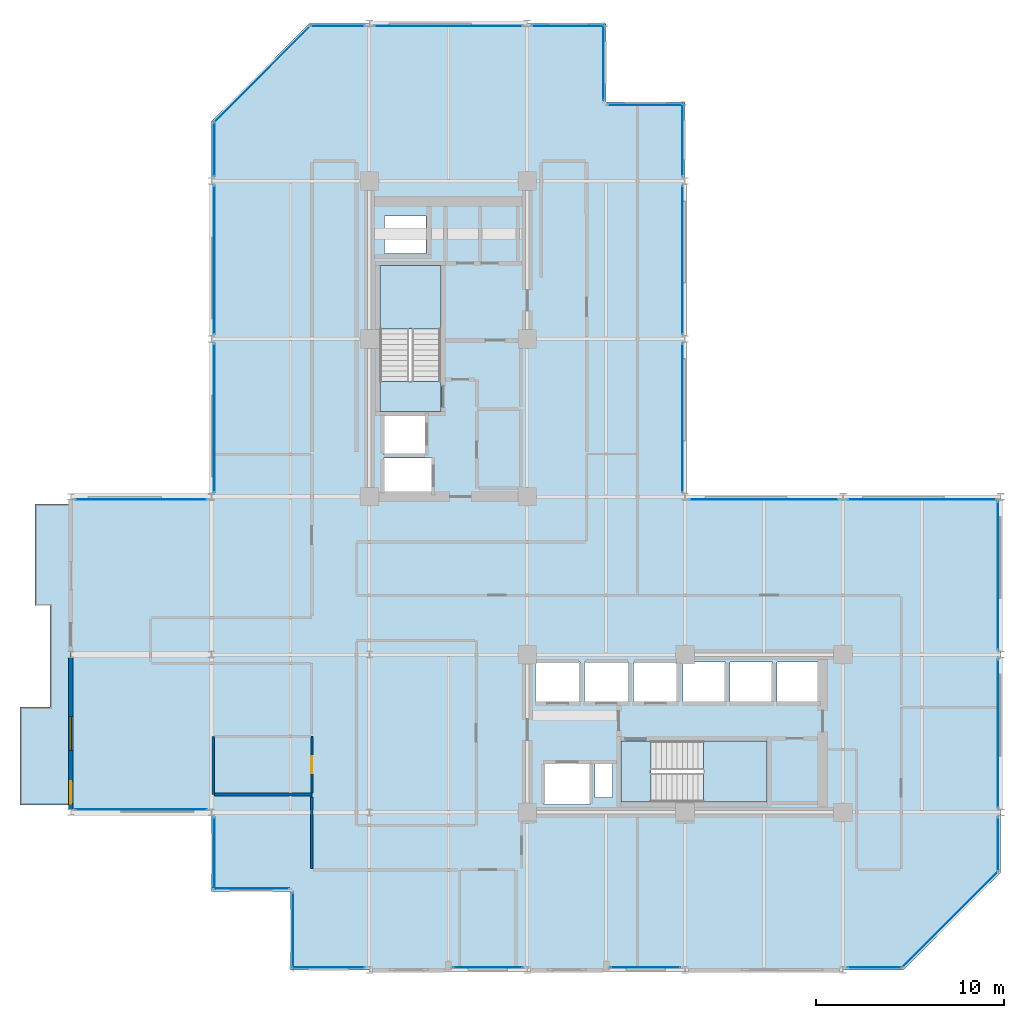
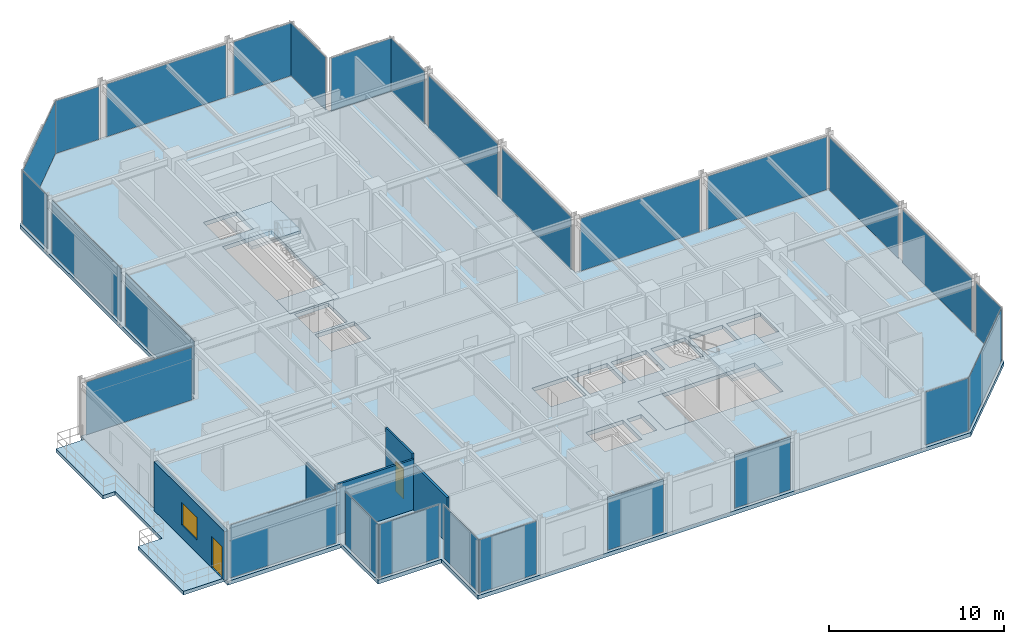
# One storey, part 23 of 29: 27 plates, 6 slabs, 5 walls, 2 doors, 1 window, 3 openings, 29 elements without a shape of their own.
"""IFC4 building model written with IfcOpenShell, lengths in metres."""

from ifc_helpers import new_model, si_unit, direction, frame, frame_2d, origin, origin_2d, place, context, subcontext, project, spatial, polyline, rectangle, outline, extrude, material, layer, layer_set, type_object, element, fill, aggregate, save


model = new_model("IFC4")

# Units and contexts
model_context = context("Model", 3, precision=1e-05, world=origin(), true_north=direction((0.0, 1.0)))
body_context = subcontext(model_context, "Body", "Model", "MODEL_VIEW")
ifc_project = project(units=[si_unit("LENGTHUNIT", "METRE"), si_unit("AREAUNIT", "SQUARE_METRE"), si_unit("VOLUMEUNIT", "CUBIC_METRE"), si_unit("PLANEANGLEUNIT", "RADIAN"), si_unit("MASSUNIT", "GRAM", prefix="KILO")], contexts=[model_context])

# Site, building, storey
site_placement = place(None, origin())
site = spatial("IfcSite", under=ifc_project, at=site_placement, CompositionType="ELEMENT")
building_placement = place(site_placement, origin())
building = spatial("IfcBuilding", under=site, at=building_placement, Name="Nerrivon Quay Data Exchange", CompositionType="ELEMENT")
storey_placement = place(building_placement, frame((0.0, 0.0, 208.300048828125)))
storey = spatial("IfcBuildingStorey", under=building, at=storey_placement, Name="L49", CompositionType="ELEMENT", Elevation=208.300048828125)

# Curtain wall, plate
ifc_material_1 = material(Name="Anodised aluminium 6063-T6", Category="aluminium")
ifc_layer_1 = layer(ifc_material_1, 0.199951171875)
ifc_layer_set_1 = layer_set([ifc_layer_1], Name="Anodised aluminium 6063-T6")
curtain_wall_type_1 = type_object("IfcCurtainWallType", Name="CW-SYS-04", PredefinedType="NOTDEFINED", material=ifc_layer_set_1)
curtain_wall_1_placement = place(storey_placement, origin())
curtain_wall_1 = element("IfcCurtainWall", 1, at=curtain_wall_1_placement, inside=storey, type_object=curtain_wall_type_1, Name="L49 Unitised Curtain Wall 3", PredefinedType="NOTDEFINED")
ifc_material_2 = material(Name="Double-glazed low-E solar control glass", Category="glass")
ifc_layer_2 = layer(ifc_material_2, 0.028076171875)
ifc_layer_set_2 = layer_set([ifc_layer_2], Name="Double-glazed low-E solar control glass")
plate_type = type_object("IfcPlateType", Name="CWP-GLZ-28", PredefinedType="CURTAIN_PANEL", material=ifc_layer_set_2)
plate_1_placement = place(storey_placement, frame((-3.759765625, 25.06005859375, 0.06494140625), z_axis=(0.0, 0.0, 1.0), x_axis=(1.0, 0.0, 0.0)))
plate_1 = element("IfcPlate", 2, at=plate_1_placement, type_object=plate_type, Name="CW04 panel 1.1", PredefinedType="CURTAIN_PANEL", context=body_context, shape_type="SweptSolid", body=[
    extrude(rectangle(XDim=7.01953125, YDim=0.028076171875, at=origin_2d()), origin(), (0.0, 0.0, 1.0), 3.695068359375),
])
aggregate(curtain_wall_1, [plate_1])

ifc_layer_3 = layer(ifc_material_1, 0.195068359375)
ifc_layer_set_3 = layer_set([ifc_layer_3], Name="Anodised aluminium 6063-T6")
curtain_wall_type_2 = type_object("IfcCurtainWallType", Name="CW-SYS-06", PredefinedType="NOTDEFINED", material=ifc_layer_set_3)
curtain_wall_2_placement = place(storey_placement, origin())
curtain_wall_2 = element("IfcCurtainWall", 3, at=curtain_wall_2_placement, inside=storey, type_object=curtain_wall_type_2, Name="L49 Unitised Curtain Wall 4", PredefinedType="NOTDEFINED")
plate_2_placement = place(storey_placement, frame((0.139892578125, 29.39990234375, 0.06494140625), z_axis=(0.0, 0.0, 1.0), x_axis=(0.0, 1.0, 0.0)))
plate_2 = element("IfcPlate", 4, at=plate_2_placement, type_object=plate_type, Name="CW06 panel 1.1", PredefinedType="CURTAIN_PANEL", context=body_context, shape_type="SweptSolid", body=[
    extrude(rectangle(XDim=7.89990234375, YDim=0.028076171875, at=origin_2d()), origin(), (0.0, 0.0, 1.0), 3.695068359375),
])
aggregate(curtain_wall_2, [plate_2])

curtain_wall_3_placement = place(storey_placement, origin())
curtain_wall_3 = element("IfcCurtainWall", 5, at=curtain_wall_3_placement, inside=storey, type_object=curtain_wall_type_2, Name="L49 Unitised Curtain Wall 5", PredefinedType="NOTDEFINED")
plate_3_placement = place(storey_placement, frame((0.139892578125, 37.800048828125, 0.06494140625), z_axis=(0.0, 0.0, 1.0), x_axis=(0.0, 1.0, 0.0)))
plate_3 = element("IfcPlate", 6, at=plate_3_placement, type_object=plate_type, Name="CW06 panel 1.1", PredefinedType="CURTAIN_PANEL", context=body_context, shape_type="SweptSolid", body=[
    extrude(rectangle(XDim=7.89990234375, YDim=0.028076171875, at=origin_2d()), origin(), (0.0, 0.0, 1.0), 3.695068359375),
])
aggregate(curtain_wall_3, [plate_3])

curtain_wall_4_placement = place(storey_placement, origin())
curtain_wall_4 = element("IfcCurtainWall", 7, at=curtain_wall_4_placement, inside=storey, type_object=curtain_wall_type_2, Name="L49 Unitised Curtain Wall 6", PredefinedType="NOTDEFINED")
plate_4_placement = place(storey_placement, frame((0.139892578125, 43.6875, 0.06494140625), z_axis=(0.0, 0.0, 1.0), x_axis=(0.0, 1.0, 0.0)))
plate_4 = element("IfcPlate", 8, at=plate_4_placement, type_object=plate_type, Name="CW06 panel 1.1", PredefinedType="CURTAIN_PANEL", context=body_context, shape_type="SweptSolid", body=[
    extrude(rectangle(XDim=2.875, YDim=0.028076171875, at=origin_2d()), origin(), (0.0, 0.0, 1.0), 3.695068359375),
])
aggregate(curtain_wall_4, [plate_4])

curtain_wall_5_placement = place(storey_placement, origin())
curtain_wall_5 = element("IfcCurtainWall", 9, at=curtain_wall_5_placement, inside=storey, type_object=curtain_wall_type_2, Name="L49 Unitised Curtain Wall 7", PredefinedType="NOTDEFINED")
plate_5_placement = place(storey_placement, frame((2.698974609375, 47.700927734375, 0.06494140625), z_axis=(0.0, 0.0, 1.0), x_axis=(0.707106781187, 0.707106781187, 0.0)))
plate_5 = element("IfcPlate", 10, at=plate_5_placement, type_object=plate_type, Name="CW06 panel 1.1", PredefinedType="CURTAIN_PANEL", context=body_context, shape_type="SweptSolid", body=[
    extrude(rectangle(XDim=7.203857421875, YDim=0.028076171875, at=origin_2d()), origin(), (0.0, 0.0, 1.0), 3.695068359375),
])
aggregate(curtain_wall_5, [plate_5])

curtain_wall_6_placement = place(storey_placement, origin())
curtain_wall_6 = element("IfcCurtainWall", 11, at=curtain_wall_6_placement, inside=storey, type_object=curtain_wall_type_2, Name="L49 Unitised Curtain Wall 8", PredefinedType="NOTDEFINED")
plate_6_placement = place(storey_placement, frame((6.71240234375, 50.260009765625, 0.06494140625), z_axis=(0.0, 0.0, 1.0), x_axis=(1.0, 0.0, 0.0)))
plate_6 = element("IfcPlate", 12, at=plate_6_placement, type_object=plate_type, Name="CW06 panel 1.1", PredefinedType="CURTAIN_PANEL", context=body_context, shape_type="SweptSolid", body=[
    extrude(rectangle(XDim=2.875, YDim=0.028076171875, at=origin_2d()), origin(), (0.0, 0.0, 1.0), 3.695068359375),
])
aggregate(curtain_wall_6, [plate_6])

curtain_wall_7_placement = place(storey_placement, origin())
curtain_wall_7 = element("IfcCurtainWall", 13, at=curtain_wall_7_placement, inside=storey, type_object=curtain_wall_type_2, Name="L49 Unitised Curtain Wall 9", PredefinedType="NOTDEFINED")
plate_7_placement = place(storey_placement, frame((12.60009765625, 50.260009765625, 0.06494140625), z_axis=(0.0, 0.0, 1.0), x_axis=(1.0, 0.0, 0.0)))
plate_7 = element("IfcPlate", 14, at=plate_7_placement, type_object=plate_type, Name="CW06 panel 1.1", PredefinedType="CURTAIN_PANEL", context=body_context, shape_type="SweptSolid", body=[
    extrude(rectangle(XDim=7.89990234375, YDim=0.028076171875, at=origin_2d()), origin(), (0.0, 0.0, 1.0), 3.695068359375),
])
aggregate(curtain_wall_7, [plate_7])

curtain_wall_8_placement = place(storey_placement, origin())
curtain_wall_8 = element("IfcCurtainWall", 15, at=curtain_wall_8_placement, inside=storey, type_object=curtain_wall_type_2, Name="L49 Unitised Curtain Wall 10", PredefinedType="NOTDEFINED")
plate_8_placement = place(storey_placement, frame((18.987548828125, 50.260009765625, 0.06494140625), z_axis=(0.0, 0.0, 1.0), x_axis=(1.0, 0.0, 0.0)))
plate_8 = element("IfcPlate", 16, at=plate_8_placement, type_object=plate_type, Name="CW06 panel 1.1", PredefinedType="CURTAIN_PANEL", context=body_context, shape_type="SweptSolid", body=[
    extrude(rectangle(XDim=3.875, YDim=0.028076171875, at=origin_2d()), origin(), (0.0, 0.0, 1.0), 3.695068359375),
])
aggregate(curtain_wall_8, [plate_8])

curtain_wall_9_placement = place(storey_placement, origin())
curtain_wall_9 = element("IfcCurtainWall", 17, at=curtain_wall_9_placement, inside=storey, type_object=curtain_wall_type_2, Name="L49 Unitised Curtain Wall 11", PredefinedType="NOTDEFINED")
plate_9_placement = place(storey_placement, frame((20.860107421875, 48.300048828125, 0.06494140625), z_axis=(0.0, 0.0, 1.0), x_axis=(0.0, -1.0, 0.0)))
plate_9 = element("IfcPlate", 18, at=plate_9_placement, type_object=plate_type, Name="CW06 panel 1.1", PredefinedType="CURTAIN_PANEL", context=body_context, shape_type="SweptSolid", body=[
    extrude(rectangle(XDim=4.050048828125, YDim=0.028076171875, at=origin_2d()), origin(), (0.0, 0.0, 1.0), 3.695068359375),
])
aggregate(curtain_wall_9, [plate_9])

curtain_wall_10_placement = place(storey_placement, origin())
curtain_wall_10 = element("IfcCurtainWall", 19, at=curtain_wall_10_placement, inside=storey, type_object=curtain_wall_type_2, Name="L49 Unitised Curtain Wall 12", PredefinedType="NOTDEFINED")
plate_10_placement = place(storey_placement, frame((23.10009765625, 46.06005859375, 0.06494140625), z_axis=(0.0, 0.0, 1.0), x_axis=(1.0, 0.0, 0.0)))
plate_10 = element("IfcPlate", 20, at=plate_10_placement, type_object=plate_type, Name="CW06 panel 1.1", PredefinedType="CURTAIN_PANEL", context=body_context, shape_type="SweptSolid", body=[
    extrude(rectangle(XDim=4.050048828125, YDim=0.028076171875, at=origin_2d()), origin(), (0.0, 0.0, 1.0), 3.695068359375),
])
aggregate(curtain_wall_10, [plate_10])

curtain_wall_11_placement = place(storey_placement, origin())
curtain_wall_11 = element("IfcCurtainWall", 21, at=curtain_wall_11_placement, inside=storey, type_object=curtain_wall_type_2, Name="L49 Unitised Curtain Wall 13", PredefinedType="NOTDEFINED")
plate_11_placement = place(storey_placement, frame((25.06005859375, 44.1875, 0.06494140625), z_axis=(0.0, 0.0, 1.0), x_axis=(0.0, -1.0, 0.0)))
plate_11 = element("IfcPlate", 22, at=plate_11_placement, type_object=plate_type, Name="CW06 panel 1.1", PredefinedType="CURTAIN_PANEL", context=body_context, shape_type="SweptSolid", body=[
    extrude(rectangle(XDim=3.875, YDim=0.028076171875, at=origin_2d()), origin(), (0.0, 0.0, 1.0), 3.695068359375),
])
aggregate(curtain_wall_11, [plate_11])

curtain_wall_12_placement = place(storey_placement, origin())
curtain_wall_12 = element("IfcCurtainWall", 23, at=curtain_wall_12_placement, inside=storey, type_object=curtain_wall_type_2, Name="L49 Unitised Curtain Wall 14", PredefinedType="NOTDEFINED")
plate_12_placement = place(storey_placement, frame((25.06005859375, 37.800048828125, 0.06494140625), z_axis=(0.0, 0.0, 1.0), x_axis=(0.0, -1.0, 0.0)))
plate_12 = element("IfcPlate", 24, at=plate_12_placement, type_object=plate_type, Name="CW06 panel 1.1", PredefinedType="CURTAIN_PANEL", context=body_context, shape_type="SweptSolid", body=[
    extrude(rectangle(XDim=7.89990234375, YDim=0.028076171875, at=origin_2d()), origin(), (0.0, 0.0, 1.0), 3.695068359375),
])
aggregate(curtain_wall_12, [plate_12])

curtain_wall_13_placement = place(storey_placement, origin())
curtain_wall_13 = element("IfcCurtainWall", 25, at=curtain_wall_13_placement, inside=storey, type_object=curtain_wall_type_2, Name="L49 Unitised Curtain Wall 15", PredefinedType="NOTDEFINED")
plate_13_placement = place(storey_placement, frame((25.06005859375, 29.39990234375, 0.06494140625), z_axis=(0.0, 0.0, 1.0), x_axis=(0.0, -1.0, 0.0)))
plate_13 = element("IfcPlate", 26, at=plate_13_placement, type_object=plate_type, Name="CW06 panel 1.1", PredefinedType="CURTAIN_PANEL", context=body_context, shape_type="SweptSolid", body=[
    extrude(rectangle(XDim=7.89990234375, YDim=0.028076171875, at=origin_2d()), origin(), (0.0, 0.0, 1.0), 3.695068359375),
])
aggregate(curtain_wall_13, [plate_13])

curtain_wall_14_placement = place(storey_placement, origin())
curtain_wall_14 = element("IfcCurtainWall", 27, at=curtain_wall_14_placement, inside=storey, type_object=curtain_wall_type_2, Name="L49 Unitised Curtain Wall 16", PredefinedType="NOTDEFINED")
plate_14_placement = place(storey_placement, frame((29.39990234375, 25.06005859375, 0.06494140625), z_axis=(0.0, 0.0, 1.0), x_axis=(1.0, 0.0, 0.0)))
plate_14 = element("IfcPlate", 28, at=plate_14_placement, type_object=plate_type, Name="CW06 panel 1.1", PredefinedType="CURTAIN_PANEL", context=body_context, shape_type="SweptSolid", body=[
    extrude(rectangle(XDim=7.89990234375, YDim=0.028076171875, at=origin_2d()), origin(), (0.0, 0.0, 1.0), 3.695068359375),
])
aggregate(curtain_wall_14, [plate_14])

curtain_wall_15_placement = place(storey_placement, origin())
curtain_wall_15 = element("IfcCurtainWall", 29, at=curtain_wall_15_placement, inside=storey, type_object=curtain_wall_type_2, Name="L49 Unitised Curtain Wall 17", PredefinedType="NOTDEFINED")
plate_15_placement = place(storey_placement, frame((37.800048828125, 25.06005859375, 0.06494140625), z_axis=(0.0, 0.0, 1.0), x_axis=(1.0, 0.0, 0.0)))
plate_15 = element("IfcPlate", 30, at=plate_15_placement, type_object=plate_type, Name="CW06 panel 1.1", PredefinedType="CURTAIN_PANEL", context=body_context, shape_type="SweptSolid", body=[
    extrude(rectangle(XDim=7.89990234375, YDim=0.028076171875, at=origin_2d()), origin(), (0.0, 0.0, 1.0), 3.695068359375),
])
aggregate(curtain_wall_15, [plate_15])

curtain_wall_16_placement = place(storey_placement, origin())
curtain_wall_16 = element("IfcCurtainWall", 31, at=curtain_wall_16_placement, inside=storey, type_object=curtain_wall_type_2, Name="L49 Unitised Curtain Wall 18", PredefinedType="NOTDEFINED")
plate_16_placement = place(storey_placement, frame((41.860107421875, 21.0, 0.06494140625), z_axis=(0.0, 0.0, 1.0), x_axis=(0.0, -1.0, 0.0)))
plate_16 = element("IfcPlate", 32, at=plate_16_placement, type_object=plate_type, Name="CW06 panel 1.1", PredefinedType="CURTAIN_PANEL", context=body_context, shape_type="SweptSolid", body=[
    extrude(rectangle(XDim=7.89990234375, YDim=0.028076171875, at=origin_2d()), origin(), (0.0, 0.0, 1.0), 3.695068359375),
])
aggregate(curtain_wall_16, [plate_16])

curtain_wall_17_placement = place(storey_placement, origin())
curtain_wall_17 = element("IfcCurtainWall", 33, at=curtain_wall_17_placement, inside=storey, type_object=curtain_wall_type_2, Name="L49 Unitised Curtain Wall 19", PredefinedType="NOTDEFINED")
plate_17_placement = place(storey_placement, frame((41.860107421875, 12.60009765625, 0.06494140625), z_axis=(0.0, 0.0, 1.0), x_axis=(0.0, -1.0, 0.0)))
plate_17 = element("IfcPlate", 34, at=plate_17_placement, type_object=plate_type, Name="CW06 panel 1.1", PredefinedType="CURTAIN_PANEL", context=body_context, shape_type="SweptSolid", body=[
    extrude(rectangle(XDim=7.89990234375, YDim=0.028076171875, at=origin_2d()), origin(), (0.0, 0.0, 1.0), 3.695068359375),
])
aggregate(curtain_wall_17, [plate_17])

curtain_wall_18_placement = place(storey_placement, origin())
curtain_wall_18 = element("IfcCurtainWall", 35, at=curtain_wall_18_placement, inside=storey, type_object=curtain_wall_type_2, Name="L49 Unitised Curtain Wall 20", PredefinedType="NOTDEFINED")
plate_18_placement = place(storey_placement, frame((41.860107421875, 6.71240234375, 0.06494140625), z_axis=(0.0, 0.0, 1.0), x_axis=(0.0, -1.0, 0.0)))
plate_18 = element("IfcPlate", 36, at=plate_18_placement, type_object=plate_type, Name="CW06 panel 1.1", PredefinedType="CURTAIN_PANEL", context=body_context, shape_type="SweptSolid", body=[
    extrude(rectangle(XDim=2.875, YDim=0.028076171875, at=origin_2d()), origin(), (0.0, 0.0, 1.0), 3.695068359375),
])
aggregate(curtain_wall_18, [plate_18])

curtain_wall_19_placement = place(storey_placement, origin())
curtain_wall_19 = element("IfcCurtainWall", 37, at=curtain_wall_19_placement, inside=storey, type_object=curtain_wall_type_2, Name="L49 Unitised Curtain Wall 21", PredefinedType="NOTDEFINED")
plate_19_placement = place(storey_placement, frame((39.301025390625, 2.698974609375, 0.06494140625), z_axis=(0.0, 0.0, 1.0), x_axis=(-0.707106781187, -0.707106781187, 0.0)))
plate_19 = element("IfcPlate", 38, at=plate_19_placement, type_object=plate_type, Name="CW06 panel 1.1", PredefinedType="CURTAIN_PANEL", context=body_context, shape_type="SweptSolid", body=[
    extrude(rectangle(XDim=7.203857421875, YDim=0.028076171875, at=origin_2d()), origin(), (0.0, 0.0, 1.0), 3.695068359375),
])
aggregate(curtain_wall_19, [plate_19])

curtain_wall_20_placement = place(storey_placement, origin())
curtain_wall_20 = element("IfcCurtainWall", 39, at=curtain_wall_20_placement, inside=storey, type_object=curtain_wall_type_2, Name="L49 Unitised Curtain Wall 22", PredefinedType="NOTDEFINED")
plate_20_placement = place(storey_placement, frame((35.28759765625, 0.139892578125, 0.06494140625), z_axis=(0.0, 0.0, 1.0), x_axis=(-1.0, 0.0, 0.0)))
plate_20 = element("IfcPlate", 40, at=plate_20_placement, type_object=plate_type, Name="CW06 panel 1.1", PredefinedType="CURTAIN_PANEL", context=body_context, shape_type="SweptSolid", body=[
    extrude(rectangle(XDim=2.875, YDim=0.028076171875, at=origin_2d()), origin(), (0.0, 0.0, 1.0), 3.695068359375),
])
aggregate(curtain_wall_20, [plate_20])

curtain_wall_21_placement = place(storey_placement, origin())
curtain_wall_21 = element("IfcCurtainWall", 41, at=curtain_wall_21_placement, inside=storey, type_object=curtain_wall_type_2, Name="L49 Unitised Curtain Wall 24", PredefinedType="NOTDEFINED")
plate_21_placement = place(storey_placement, frame((23.10009765625, 0.139892578125, 0.06494140625), z_axis=(0.0, 0.0, 1.0), x_axis=(-1.0, 0.0, 0.0)))
plate_21 = element("IfcPlate", 42, at=plate_21_placement, type_object=plate_type, Name="CW06 panel 1.1", PredefinedType="CURTAIN_PANEL", context=body_context, shape_type="SweptSolid", body=[
    extrude(rectangle(XDim=3.699951171875, YDim=0.028076171875, at=origin_2d()), origin(), (0.0, 0.0, 1.0), 3.695068359375),
])
aggregate(curtain_wall_21, [plate_21])

curtain_wall_22_placement = place(storey_placement, origin())
curtain_wall_22 = element("IfcCurtainWall", 43, at=curtain_wall_22_placement, inside=storey, type_object=curtain_wall_type_2, Name="L49 Unitised Curtain Wall 26", PredefinedType="NOTDEFINED")
plate_22_placement = place(storey_placement, frame((14.699951171875, 0.139892578125, 0.06494140625), z_axis=(0.0, 0.0, 1.0), x_axis=(-1.0, 0.0, 0.0)))
plate_22 = element("IfcPlate", 44, at=plate_22_placement, type_object=plate_type, Name="CW06 panel 1.1", PredefinedType="CURTAIN_PANEL", context=body_context, shape_type="SweptSolid", body=[
    extrude(rectangle(XDim=3.699951171875, YDim=0.028076171875, at=origin_2d()), origin(), (0.0, 0.0, 1.0), 3.695068359375),
])
aggregate(curtain_wall_22, [plate_22])

curtain_wall_23_placement = place(storey_placement, origin())
curtain_wall_23 = element("IfcCurtainWall", 45, at=curtain_wall_23_placement, inside=storey, type_object=curtain_wall_type_2, Name="L49 Unitised Curtain Wall 28", PredefinedType="NOTDEFINED")
plate_23_placement = place(storey_placement, frame((6.21240234375, 0.139892578125, 0.06494140625), z_axis=(0.0, 0.0, 1.0), x_axis=(-1.0, 0.0, 0.0)))
plate_23 = element("IfcPlate", 46, at=plate_23_placement, type_object=plate_type, Name="CW06 panel 1.1", PredefinedType="CURTAIN_PANEL", context=body_context, shape_type="SweptSolid", body=[
    extrude(rectangle(XDim=3.875, YDim=0.028076171875, at=origin_2d()), origin(), (0.0, 0.0, 1.0), 3.695068359375),
])
aggregate(curtain_wall_23, [plate_23])

curtain_wall_24_placement = place(storey_placement, origin())
curtain_wall_24 = element("IfcCurtainWall", 47, at=curtain_wall_24_placement, inside=storey, type_object=curtain_wall_type_2, Name="L49 Unitised Curtain Wall 29", PredefinedType="NOTDEFINED")
plate_24_placement = place(storey_placement, frame((4.340087890625, 2.10009765625, 0.06494140625), z_axis=(0.0, 0.0, 1.0), x_axis=(0.0, 1.0, 0.0)))
plate_24 = element("IfcPlate", 48, at=plate_24_placement, type_object=plate_type, Name="CW06 panel 1.1", PredefinedType="CURTAIN_PANEL", context=body_context, shape_type="SweptSolid", body=[
    extrude(rectangle(XDim=4.050048828125, YDim=0.028076171875, at=origin_2d()), origin(), (0.0, 0.0, 1.0), 3.695068359375),
])
aggregate(curtain_wall_24, [plate_24])

curtain_wall_25_placement = place(storey_placement, origin())
curtain_wall_25 = element("IfcCurtainWall", 49, at=curtain_wall_25_placement, inside=storey, type_object=curtain_wall_type_2, Name="L49 Unitised Curtain Wall 30", PredefinedType="NOTDEFINED")
plate_25_placement = place(storey_placement, frame((2.10009765625, 4.340087890625, 0.06494140625), z_axis=(0.0, 0.0, 1.0), x_axis=(-1.0, 0.0, 0.0)))
plate_25 = element("IfcPlate", 50, at=plate_25_placement, type_object=plate_type, Name="CW06 panel 1.1", PredefinedType="CURTAIN_PANEL", context=body_context, shape_type="SweptSolid", body=[
    extrude(rectangle(XDim=4.050048828125, YDim=0.028076171875, at=origin_2d()), origin(), (0.0, 0.0, 1.0), 3.695068359375),
])
aggregate(curtain_wall_25, [plate_25])

curtain_wall_26_placement = place(storey_placement, origin())
curtain_wall_26 = element("IfcCurtainWall", 51, at=curtain_wall_26_placement, inside=storey, type_object=curtain_wall_type_2, Name="L49 Unitised Curtain Wall 31", PredefinedType="NOTDEFINED")
plate_26_placement = place(storey_placement, frame((0.139892578125, 6.21240234375, 0.06494140625), z_axis=(0.0, 0.0, 1.0), x_axis=(0.0, 1.0, 0.0)))
plate_26 = element("IfcPlate", 52, at=plate_26_placement, type_object=plate_type, Name="CW06 panel 1.1", PredefinedType="CURTAIN_PANEL", context=body_context, shape_type="SweptSolid", body=[
    extrude(rectangle(XDim=3.875, YDim=0.028076171875, at=origin_2d()), origin(), (0.0, 0.0, 1.0), 3.695068359375),
])
aggregate(curtain_wall_26, [plate_26])

curtain_wall_27_placement = place(storey_placement, origin())
curtain_wall_27 = element("IfcCurtainWall", 53, at=curtain_wall_27_placement, inside=storey, type_object=curtain_wall_type_1, Name="L49 Unitised Curtain Wall 32", PredefinedType="NOTDEFINED")
plate_27_placement = place(storey_placement, frame((-3.759765625, 8.5400390625, 0.06494140625), z_axis=(0.0, 0.0, 1.0), x_axis=(-1.0, 0.0, 0.0)))
plate_27 = element("IfcPlate", 54, at=plate_27_placement, type_object=plate_type, Name="CW04 panel 1.1", PredefinedType="CURTAIN_PANEL", context=body_context, shape_type="SweptSolid", body=[
    extrude(rectangle(XDim=7.01953125, YDim=0.028076171875, at=origin_2d()), origin(), (0.0, 0.0, 1.0), 3.695068359375),
])
aggregate(curtain_wall_27, [plate_27])

# Slab
ifc_material_3 = material(Name="Precast white architectural concrete N50 (50 MPa)", Category="concrete")
ifc_layer_4 = layer(ifc_material_3, 0.25)
ifc_layer_set_4 = layer_set([ifc_layer_4], Name="Precast white architectural concrete N50 (50 MPa)")
slab_type_1 = type_object("IfcSlabType", Name="SLB-BAL-250", PredefinedType="FLOOR", material=ifc_layer_set_4)
slab_1_placement = place(storey_placement, frame((0.0, 0.0, -0.25)))
element("IfcSlab", 55, at=slab_1_placement, inside=storey, type_object=slab_type_1, Name="L49 West Hooked Drifting Verandah", PredefinedType="FLOOR", context=body_context, shape_type="SweptSolid", body=[
    extrude(outline(polyline([(-7.5, 14.0), (-7.5, 19.39990234375), (-7.5, 24.800048828125), (-9.39990234375, 24.800048828125), (-9.39990234375, 19.39990234375), (-8.60009765625, 19.39990234375), (-8.60009765625, 14.0), (-10.199951171875, 14.0), (-10.199951171875, 8.800048828125), (-7.5, 8.800048828125), (-7.5, 14.0)])), origin(), (0.0, 0.0, 1.0), 0.25),
])

# Stair, slab
ifc_material_4 = material(Name="Concrete N50 (50 MPa)", Category="concrete")
stair_type = type_object("IfcStairType", Name="STAIR-DOG-41", PredefinedType="HALF_TURN_STAIR", material=ifc_material_4)
stair_1_placement = place(storey_placement, origin())
stair_1 = element("IfcStair", 56, at=stair_1_placement, inside=storey, type_object=stair_type, Name="L49 West Core Fire Stair ST01", PredefinedType="HALF_TURN_STAIR")
ifc_layer_5 = layer(ifc_material_4, 0.199951171875)
ifc_layer_set_5 = layer_set([ifc_layer_5], Name="Concrete N50 (50 MPa)")
slab_type_2 = type_object("IfcSlabType", Name="SLB-LAND-200", PredefinedType="LANDING", material=ifc_layer_set_5)
slab_2_placement = place(storey_placement, frame((0.0, 0.0, 1.849853515625)))
slab_2 = element("IfcSlab", 57, at=slab_2_placement, type_object=slab_type_2, Name="ST01 landing 1", PredefinedType="LANDING", context=body_context, shape_type="SweptSolid", body=[
    extrude(outline(polyline([(12.199951171875, 34.1298828125), (12.199951171875, 37.5), (8.949951171875, 37.5), (8.949951171875, 34.1298828125), (12.199951171875, 34.1298828125)])), origin(), (0.0, 0.0, 1.0), 0.2001953125),
])
aggregate(stair_1, [slab_2])

# Slab
slab_3_placement = place(storey_placement, frame((0.0, 0.0, -0.199951171875)))
element("IfcSlab", 58, at=slab_3_placement, inside=storey, type_object=slab_type_2, Name="L49 ST01 floor landing", PredefinedType="LANDING", context=body_context, shape_type="SweptSolid", body=[
    extrude(outline(polyline([(12.199951171875, 29.75), (12.199951171875, 31.330078125), (8.949951171875, 31.330078125), (8.949951171875, 29.75), (12.199951171875, 29.75)])), origin(), (0.0, 0.0, 1.0), 0.199951171875),
])

# Stair, slab
stair_2_placement = place(storey_placement, origin())
stair_2 = element("IfcStair", 59, at=stair_2_placement, inside=storey, type_object=stair_type, Name="L49 East Core Fire Stair ST02", PredefinedType="HALF_TURN_STAIR")
slab_4_placement = place(storey_placement, frame((0.0, 0.0, 1.849853515625)))
slab_4 = element("IfcSlab", 60, at=slab_4_placement, type_object=slab_type_2, Name="ST02 landing 1", PredefinedType="LANDING", context=body_context, shape_type="SweptSolid", body=[
    extrude(outline(polyline([(26.179931640625, 8.949951171875), (29.550048828125, 8.949951171875), (29.550048828125, 12.199951171875), (26.179931640625, 12.199951171875), (26.179931640625, 8.949951171875)])), origin(), (0.0, 0.0, 1.0), 0.2001953125),
])
aggregate(stair_2, [slab_4])

# Slabs
slab_5_placement = place(storey_placement, frame((0.0, 0.0, -0.199951171875)))
element("IfcSlab", 61, at=slab_5_placement, inside=storey, type_object=slab_type_2, Name="L49 ST02 floor landing", PredefinedType="LANDING", context=body_context, shape_type="SweptSolid", body=[
    extrude(outline(polyline([(21.800048828125, 8.949951171875), (23.3798828125, 8.949951171875), (23.3798828125, 12.199951171875), (21.800048828125, 12.199951171875), (21.800048828125, 8.949951171875)])), origin(), (0.0, 0.0, 1.0), 0.199951171875),
])
ifc_layer_6 = layer(ifc_material_4, 0.27490234375)
ifc_layer_set_6 = layer_set([ifc_layer_6], Name="Concrete N50 (50 MPa)")
slab_type_3 = type_object("IfcSlabType", Name="SLB-TOW-275", PredefinedType="FLOOR", material=ifc_layer_set_6)
slab_6_placement = place(storey_placement, frame((0.0, 0.0, -0.275146484375)))
element("IfcSlab", 62, at=slab_6_placement, inside=storey, type_object=slab_type_3, Name="L49 Primary Structural Slab", PredefinedType="FLOOR", context=body_context, shape_type="SweptSolid", body=[
    extrude(outline(polyline([(0.0, 8.39990234375), (0.0, 4.199951171875), (4.199951171875, 4.199951171875), (4.199951171875, 0.0), (36.800048828125, 0.0), (42.0, 5.199951171875), (42.0, 25.199951171875), (25.199951171875, 25.199951171875), (25.199951171875, 46.199951171875), (21.0, 46.199951171875), (21.0, 50.39990234375), (5.199951171875, 50.39990234375), (0.0, 45.199951171875), (0.0, 25.199951171875), (-7.5, 25.199951171875), (-7.5, 8.39990234375), (0.0, 8.39990234375)]), holes=[polyline([(8.949951171875, 29.75), (8.949951171875, 37.5), (12.199951171875, 37.5), (12.199951171875, 29.75), (8.949951171875, 29.75)]), polyline([(21.800048828125, 12.199951171875), (29.550048828125, 12.199951171875), (29.550048828125, 8.949951171875), (21.800048828125, 8.949951171875), (21.800048828125, 12.199951171875)]), polyline([(30.10009765625, 16.39990234375), (32.35009765625, 16.39990234375), (32.35009765625, 14.25), (30.10009765625, 14.25), (30.10009765625, 16.39990234375)]), polyline([(27.60009765625, 16.39990234375), (29.85009765625, 16.39990234375), (29.85009765625, 14.25), (27.60009765625, 14.25), (27.60009765625, 16.39990234375)]), polyline([(25.10009765625, 14.25), (25.10009765625, 16.39990234375), (27.35009765625, 16.39990234375), (27.35009765625, 14.25), (25.10009765625, 14.25)]), polyline([(22.449951171875, 16.39990234375), (24.800048828125, 16.39990234375), (24.800048828125, 14.25), (22.449951171875, 14.25), (22.449951171875, 16.39990234375)]), polyline([(19.85009765625, 16.39990234375), (22.199951171875, 16.39990234375), (22.199951171875, 14.25), (19.85009765625, 14.25), (19.85009765625, 16.39990234375)]), polyline([(20.39990234375, 9.199951171875), (20.39990234375, 11.0), (21.35009765625, 11.0), (21.35009765625, 9.199951171875), (20.39990234375, 9.199951171875)]), polyline([(17.699951171875, 8.830078125), (17.699951171875, 11.030029296875), (20.14990234375, 11.030029296875), (20.14990234375, 8.830078125), (17.699951171875, 8.830078125)]), polyline([(17.25, 14.25), (17.25, 16.39990234375), (19.60009765625, 16.39990234375), (19.60009765625, 14.25), (17.25, 14.25)]), polyline([(9.14990234375, 27.25), (11.75, 27.25), (11.75, 25.35009765625), (9.14990234375, 25.35009765625), (9.14990234375, 27.25)]), polyline([(9.14990234375, 29.60009765625), (11.39990234375, 29.60009765625), (11.39990234375, 27.449951171875), (9.14990234375, 27.449951171875), (9.14990234375, 29.60009765625)]), polyline([(9.199951171875, 38.14990234375), (9.199951171875, 40.14990234375), (11.39990234375, 40.14990234375), (11.39990234375, 38.14990234375), (9.199951171875, 38.14990234375)])]), origin(), (0.0, 0.0, 1.0), 0.275146484375),
])

# Wall, openings, door, window
ifc_material_5 = material(Name="Architectural terracotta precast concrete N50 (50 MPa)", Category="masonry")
ifc_layer_7 = layer(ifc_material_5, 0.239990234375)
ifc_layer_set_7 = layer_set([ifc_layer_7], Name="Architectural terracotta precast concrete N50 (50 MPa)")
wall_type_1 = type_object("IfcWallType", Name="EW-PREC-240", PredefinedType="STANDARD", material=ifc_layer_set_7)
wall_1_placement = place(storey_placement, frame((-7.5, 8.5634765625, 0.0), z_axis=(0.0, 0.0, 1.0), x_axis=(0.0, 1.0, 0.0)))
wall_1 = element("IfcWall", 63, at=wall_1_placement, inside=storey, type_object=wall_type_1, Name="L49 Terrace Host Wall 1", PredefinedType="STANDARD", context=body_context, shape_type="SweptSolid", body=[
    extrude(rectangle(XDim=8.072998046875, YDim=0.239990234375, at=frame_2d((4.03662109375, 0.0))), origin(), (0.0, 0.0, 1.0), 3.421875),
])
opening_1_placement = place(wall_1_placement, frame((0.300048828125, 0.0, 0.0)))
opening_1 = element("IfcOpeningElement", 64, at=opening_1_placement, cuts=wall_1, Name="Opening TD1", PredefinedType="OPENING", context=body_context, shape_type="SweptSolid", body=[
    extrude(rectangle(XDim=1.199951171875, YDim=2.199951171875, at=frame_2d((0.60009765625, 1.10009765625))), frame((0.0, 0.1298828125, 0.0), z_axis=(0.0, -1.0, 0.0), x_axis=(1.0, 0.0, 0.0)), (0.0, 0.0, 1.0), 0.260009765625),
])
opening_2_placement = place(wall_1_placement, frame((3.136474609375, 0.0, 0.89990234375)))
opening_2 = element("IfcOpeningElement", 65, at=opening_2_placement, cuts=wall_1, Name="Opening WN2", PredefinedType="OPENING", context=body_context, shape_type="SweptSolid", body=[
    extrude(rectangle(XDim=1.800048828125, YDim=1.60009765625, at=frame_2d((0.89990234375, 0.800048828125))), frame((0.0, 0.1298828125, 0.0), z_axis=(0.0, -1.0, 0.0), x_axis=(1.0, 0.0, 0.0)), (0.0, 0.0, 1.0), 0.260009765625),
])
door_type_1 = type_object("IfcDoorType", Name="DR-TERR-1200x2200", OperationType="NOTDEFINED", PredefinedType="DOOR", material=ifc_material_2)
door_1_placement = place(opening_1_placement, origin())
door_1 = element("IfcDoor", 66, at=door_1_placement, inside=storey, type_object=door_type_1, Name="L49 Outdoor Terrace Access Door 1", OperationType="SINGLE_SWING_RIGHT", OverallHeight=2.199951171875, OverallWidth=1.199951171875, PredefinedType="DOOR", context=body_context, shape_type="SweptSolid", body=[
    extrude(rectangle(XDim=1.199951171875, YDim=2.199951171875, at=frame_2d((0.60009765625, 1.10009765625))), frame((0.0, 0.02490234375, 0.0), z_axis=(0.0, -1.0, 0.0), x_axis=(1.0, 0.0, 0.0)), (0.0, 0.0, 1.0), 0.050048828125),
])
fill(opening_1, door_1)
window_type = type_object("IfcWindowType", Name="WIN-W2-1800x1600", PartitioningType="SINGLE_PANEL", PredefinedType="WINDOW", material=ifc_material_2)
window_placement = place(opening_2_placement, origin())
window = element("IfcWindow", 67, at=window_placement, inside=storey, type_object=window_type, Name="L49 Terrace Side Window 1", OverallHeight=1.60009765625, OverallWidth=1.800048828125, PartitioningType="SINGLE_PANEL", PredefinedType="WINDOW", context=body_context, shape_type="SweptSolid", body=[
    extrude(rectangle(XDim=1.800048828125, YDim=1.60009765625, at=frame_2d((0.89990234375, 0.800048828125))), frame((0.0, 0.030029296875, 0.0), z_axis=(0.0, -1.0, 0.0), x_axis=(1.0, 0.0, 0.0)), (0.0, 0.0, 1.0), 0.06005859375),
])
fill(opening_2, window)

# Wall
ifc_material_6 = material(Name="Gypsum plasterboard on cold-formed framing", Category="gypsum")
ifc_layer_8 = layer(ifc_material_6, 0.1201171875)
ifc_layer_set_8 = layer_set([ifc_layer_8], Name="Gypsum plasterboard on cold-formed framing")
wall_type_2 = type_object("IfcWallType", Name="WALL-PT-120", PredefinedType="PARTITIONING", material=ifc_layer_set_8)
wall_2_placement = place(storey_placement, frame((0.080078125, 12.449951171875, 0.0), z_axis=(0.0, 0.0, 1.0), x_axis=(0.0, -1.0, 0.0)))
element("IfcWall", 68, at=wall_2_placement, inside=storey, type_object=wall_type_2, Name="L49 Partition Public Washrooms", PredefinedType="PARTITIONING", context=body_context, shape_type="SweptSolid", body=[
    extrude(rectangle(XDim=3.099853515625, YDim=0.1201171875, at=frame_2d((1.5498046875, 0.0))), origin(), (0.0, 0.0, 1.0), 3.222900390625),
])

# Wall, opening, door
wall_3_placement = place(storey_placement, frame((5.340087890625, 9.42138671875, 0.0), z_axis=(0.0, 0.0, 1.0), x_axis=(0.0, 1.0, 0.0)))
wall_3 = element("IfcWall", 69, at=wall_3_placement, inside=storey, type_object=wall_type_2, Name="L49 Partition Public Washrooms", PredefinedType="PARTITIONING", context=body_context, shape_type="SweptSolid", body=[
    extrude(rectangle(XDim=3.028564453125, YDim=0.1201171875, at=frame_2d((1.51416015625, 0.0))), origin(), (0.0, 0.0, 1.0), 3.824951171875),
])
opening_3_placement = place(wall_3_placement, frame((1.05419921875, 0.0, 0.0)))
opening_3 = element("IfcOpeningElement", 70, at=opening_3_placement, cuts=wall_3, Name="Opening D-WC", PredefinedType="OPENING", context=body_context, shape_type="SweptSolid", body=[
    extrude(rectangle(XDim=0.919921875, YDim=2.10009765625, at=frame_2d((0.4599609375, 1.050048828125))), frame((0.0, 0.070068359375, 0.0), z_axis=(0.0, -1.0, 0.0), x_axis=(1.0, 0.0, 0.0)), (0.0, 0.0, 1.0), 0.14013671875),
])
ifc_material_7 = material(Name="Engineered hardwood timber", Category="wood")
door_type_2 = type_object("IfcDoorType", Name="DR-WC-920", OperationType="NOTDEFINED", PredefinedType="DOOR", material=ifc_material_7)
door_2_placement = place(opening_3_placement, origin())
door_2 = element("IfcDoor", 71, at=door_2_placement, inside=storey, type_object=door_type_2, Name="L49 Door Public Washrooms", OperationType="SINGLE_SWING_LEFT", OverallHeight=2.10009765625, OverallWidth=0.919921875, PredefinedType="DOOR", context=body_context, shape_type="SweptSolid", body=[
    extrude(rectangle(XDim=0.919921875, YDim=2.10009765625, at=frame_2d((0.4599609375, 1.050048828125))), frame((0.0, 0.02490234375, 0.0), z_axis=(0.0, -1.0, 0.0), x_axis=(1.0, 0.0, 0.0)), (0.0, 0.0, 1.0), 0.050048828125),
])
fill(opening_3, door_2)

# Walls
ifc_layer_9 = layer(ifc_material_6, 0.135009765625)
ifc_layer_set_9 = layer_set([ifc_layer_9], Name="Gypsum plasterboard on cold-formed framing")
wall_type_3 = type_object("IfcWallType", Name="WALL-PT-135", PredefinedType="PARTITIONING", material=ifc_layer_set_9)
wall_4_placement = place(storey_placement, frame((0.14404296875, 9.35009765625, 0.0), z_axis=(0.0, 0.0, 1.0), x_axis=(1.0, 0.0, 0.0)))
element("IfcWall", 72, at=wall_4_placement, inside=storey, type_object=wall_type_3, Name="L49 Partition Public Washrooms", PredefinedType="PARTITIONING", context=body_context, shape_type="SweptSolid", body=[
    extrude(rectangle(XDim=5.196044921875, YDim=0.135009765625, at=frame_2d((2.59814453125, 0.0))), origin(), (0.0, 0.0, 1.0), 3.51806640625),
])
wall_5_placement = place(storey_placement, frame((5.340087890625, 5.39990234375, 0.0), z_axis=(0.0, 0.0, 1.0), x_axis=(0.0, 1.0, 0.0)))
element("IfcWall", 73, at=wall_5_placement, inside=storey, type_object=wall_type_3, Name="L49 Partition Technical Library", PredefinedType="PARTITIONING", context=body_context, shape_type="SweptSolid", body=[
    extrude(rectangle(XDim=3.830078125, YDim=0.135009765625, at=frame_2d((1.9150390625, 0.0))), origin(), (0.0, 0.0, 1.0), 3.212890625),
])

save(model, "model.ifc")
